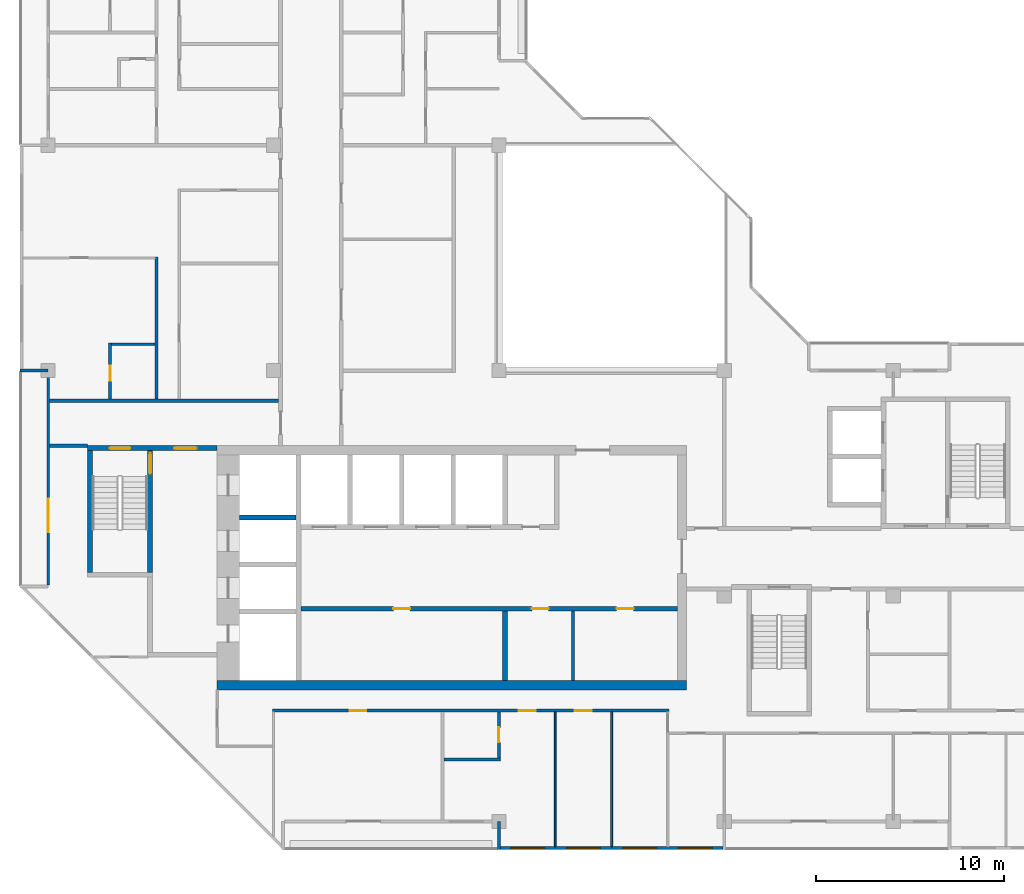
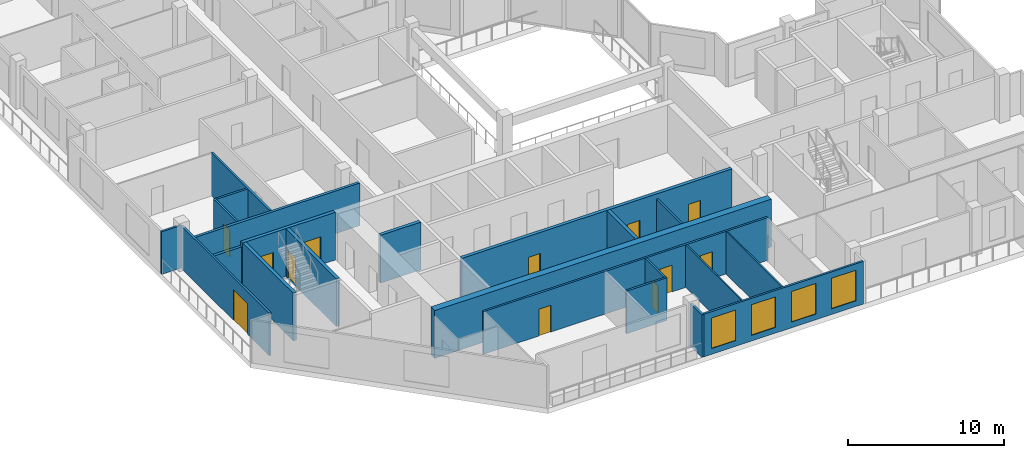
# One storey, part 4 of 12: 22 walls, 12 doors, 4 windows, 16 openings.
"""IFC4 building model written with IfcOpenShell, lengths in metres."""

from ifc_helpers import new_model, si_unit, direction, frame, frame_2d, origin, place, context, subcontext, project, spatial, rectangle, extrude, material, layer, layer_set, type_object, element, fill, save


model = new_model("IFC4")

# Units and contexts
model_context = context("Model", 3, precision=1e-05, world=origin(), true_north=direction((0.0, 1.0)))
body_context = subcontext(model_context, "Body", "Model", "MODEL_VIEW")
ifc_project = project(units=[si_unit("LENGTHUNIT", "METRE"), si_unit("AREAUNIT", "SQUARE_METRE"), si_unit("VOLUMEUNIT", "CUBIC_METRE"), si_unit("PLANEANGLEUNIT", "RADIAN"), si_unit("MASSUNIT", "GRAM", prefix="KILO")], contexts=[model_context])

# Site, building, storey
site_placement = place(None, origin())
site = spatial("IfcSite", under=ifc_project, at=site_placement, CompositionType="ELEMENT")
building_placement = place(site_placement, origin())
building = spatial("IfcBuilding", under=site, at=building_placement, Name="Chenar Terraces", CompositionType="ELEMENT")
storey_placement = place(building_placement, frame((0.0, 0.0, 350.14990234375)))
storey = spatial("IfcBuildingStorey", under=building, at=storey_placement, Name="L81", CompositionType="ELEMENT", Elevation=350.14990234375)

# Wall
ifc_material_1 = material(Name="Gypsum board on steel studs", Category="steel")
ifc_layer_1 = layer(ifc_material_1, 0.14990234375)
ifc_layer_set_1 = layer_set([ifc_layer_1], Name="Gypsum board on steel studs")
wall_type_1 = type_object("IfcWallType", Name="Core partition 150 gypsum board", PredefinedType="PARTITIONING", material=ifc_layer_set_1)
wall_1_placement = place(storey_placement, frame((27.949951171875, 7.5, 0.0), z_axis=(0.0, 0.0, 1.0), x_axis=(0.0, 1.0, 0.0)))
element("IfcWall", 1, at=wall_1_placement, inside=storey, type_object=wall_type_1, Name="Core partition CP1 freed bay wall", PredefinedType="PARTITIONING", context=body_context, shape_type="SweptSolid", body=[
    extrude(rectangle(XDim=3.699951171875, YDim=0.14990234375, at=frame_2d((1.85009765625, 0.0))), origin(), (0.0, 0.0, 1.0), 3.35009765625),
])

# Wall, openings, doors
ifc_material_2 = material(Name="Concrete C50/60", Category="concrete")
ifc_layer_2 = layer(ifc_material_2, 0.25)
ifc_layer_set_2 = layer_set([ifc_layer_2], Name="Concrete C50/60")
wall_type_2 = type_object("IfcWallType", Name="Core wall 250 Concrete C50/60", PredefinedType="SHEAR", material=ifc_layer_set_2)
wall_2_placement = place(storey_placement, frame((13.449951171875, 11.324951171875, 0.0), z_axis=(0.0, 0.0, 1.0), x_axis=(1.0, 0.0, 0.0)))
wall_2 = element("IfcWall", 2, at=wall_2_placement, inside=storey, type_object=wall_type_2, Name="Core wall SF L81", PredefinedType="SHEAR", context=body_context, shape_type="SweptSolid", body=[
    extrude(rectangle(XDim=20.050048828125, YDim=0.25, at=frame_2d((10.02490234375, 0.0))), origin(), (0.0, 0.0, 1.0), 3.75),
])
opening_1_placement = place(wall_2_placement, frame((4.925048828125, 0.0, 0.0)))
opening_1 = element("IfcOpeningElement", 3, at=opening_1_placement, cuts=wall_2, Name="Opening DL81-C12", PredefinedType="OPENING", context=body_context, shape_type="SweptSolid", body=[
    extrude(rectangle(XDim=0.89990234375, YDim=2.10009765625, at=frame_2d((0.449951171875, 1.050048828125))), frame((0.0, 0.135009765625, 0.0), z_axis=(0.0, -1.0, 0.0), x_axis=(1.0, 0.0, 0.0)), (0.0, 0.0, 1.0), 0.27001953125),
])
opening_2_placement = place(wall_2_placement, frame((12.300048828125, 0.0, 0.0)))
opening_2 = element("IfcOpeningElement", 4, at=opening_2_placement, cuts=wall_2, Name="Opening DL81-C13", PredefinedType="OPENING", context=body_context, shape_type="SweptSolid", body=[
    extrude(rectangle(XDim=0.89990234375, YDim=2.10009765625, at=frame_2d((0.449951171875, 1.050048828125))), frame((0.0, 0.135009765625, 0.0), z_axis=(0.0, -1.0, 0.0), x_axis=(1.0, 0.0, 0.0)), (0.0, 0.0, 1.0), 0.27001953125),
])
opening_3_placement = place(wall_2_placement, frame((16.824951171875, 0.0, 0.0)))
opening_3 = element("IfcOpeningElement", 5, at=opening_3_placement, cuts=wall_2, Name="Opening DL81-C14", PredefinedType="OPENING", context=body_context, shape_type="SweptSolid", body=[
    extrude(rectangle(XDim=0.89990234375, YDim=2.10009765625, at=frame_2d((0.449951171875, 1.050048828125))), frame((0.0, 0.135009765625, 0.0), z_axis=(0.0, -1.0, 0.0), x_axis=(1.0, 0.0, 0.0)), (0.0, 0.0, 1.0), 0.27001953125),
])
ifc_material_3 = material(Name="Steel-framed fire-resisting door leaf", Category="steel")
door_type_1 = type_object("IfcDoorType", Name="Riser fire door FD60 900 x 2100", OperationType="SINGLE_SWING_LEFT", PredefinedType="DOOR", material=ifc_material_3)
door_1_placement = place(opening_1_placement, frame((0.89990234375, 0.0, 0.0), z_axis=(0.0, 0.0, 1.0), x_axis=(-1.0, 0.0, 0.0)))
door_1 = element("IfcDoor", 6, at=door_1_placement, inside=storey, type_object=door_type_1, Name="Core room door DL81-C12", OperationType="SINGLE_SWING_RIGHT", OverallHeight=2.10009765625, OverallWidth=0.89990234375, PredefinedType="DOOR", context=body_context, shape_type="SweptSolid", body=[
    extrude(rectangle(XDim=0.89990234375, YDim=2.10009765625, at=frame_2d((0.449951171875, 1.050048828125))), frame((0.0, 0.02490234375, 0.0), z_axis=(0.0, -1.0, 0.0), x_axis=(1.0, 0.0, 0.0)), (0.0, 0.0, 1.0), 0.050048828125),
])
fill(opening_1, door_1)
door_2_placement = place(opening_2_placement, frame((0.89990234375, 0.0, 0.0), z_axis=(0.0, 0.0, 1.0), x_axis=(-1.0, 0.0, 0.0)))
door_2 = element("IfcDoor", 7, at=door_2_placement, inside=storey, type_object=door_type_1, Name="Core room door DL81-C13", OperationType="SINGLE_SWING_LEFT", OverallHeight=2.10009765625, OverallWidth=0.89990234375, PredefinedType="DOOR", context=body_context, shape_type="SweptSolid", body=[
    extrude(rectangle(XDim=0.89990234375, YDim=2.10009765625, at=frame_2d((0.449951171875, 1.050048828125))), frame((0.0, 0.02490234375, 0.0), z_axis=(0.0, -1.0, 0.0), x_axis=(1.0, 0.0, 0.0)), (0.0, 0.0, 1.0), 0.050048828125),
])
fill(opening_2, door_2)
door_3_placement = place(opening_3_placement, frame((0.89990234375, 0.0, 0.0), z_axis=(0.0, 0.0, 1.0), x_axis=(-1.0, 0.0, 0.0)))
door_3 = element("IfcDoor", 8, at=door_3_placement, inside=storey, type_object=door_type_1, Name="Core room door DL81-C14", OperationType="SINGLE_SWING_LEFT", OverallHeight=2.10009765625, OverallWidth=0.89990234375, PredefinedType="DOOR", context=body_context, shape_type="SweptSolid", body=[
    extrude(rectangle(XDim=0.89990234375, YDim=2.10009765625, at=frame_2d((0.449951171875, 1.050048828125))), frame((0.0, 0.02490234375, 0.0), z_axis=(0.0, -1.0, 0.0), x_axis=(1.0, 0.0, 0.0)), (0.0, 0.0, 1.0), 0.050048828125),
])
fill(opening_3, door_3)

# Walls
wall_3_placement = place(storey_placement, frame((10.199951171875, 16.175048828125, 0.0), z_axis=(0.0, 0.0, 1.0), x_axis=(1.0, 0.0, 0.0)))
element("IfcWall", 9, at=wall_3_placement, inside=storey, type_object=wall_type_2, Name="Core wall HW2 L81", PredefinedType="SHEAR", context=body_context, shape_type="SweptSolid", body=[
    extrude(rectangle(XDim=3.0, YDim=0.25, at=frame_2d((1.5, 0.0))), origin(), (0.0, 0.0, 1.0), 3.75),
])
wall_4_placement = place(storey_placement, frame((24.324951171875, 7.5, 0.0), z_axis=(0.0, 0.0, 1.0), x_axis=(0.0, 1.0, 0.0)))
element("IfcWall", 10, at=wall_4_placement, inside=storey, type_object=wall_type_2, Name="Core wall SS3 L81", PredefinedType="SHEAR", context=body_context, shape_type="SweptSolid", body=[
    extrude(rectangle(XDim=3.699951171875, YDim=0.25, at=frame_2d((1.85009765625, 0.0))), origin(), (0.0, 0.0, 1.0), 3.75),
])

# Wall, openings, doors
wall_5_placement = place(storey_placement, frame((2.10009765625, 19.875, 0.0), z_axis=(0.0, 0.0, 1.0), x_axis=(1.0, 0.0, 0.0)))
wall_5 = element("IfcWall", 11, at=wall_5_placement, inside=storey, type_object=wall_type_2, Name="Core wall A_N L81", PredefinedType="SHEAR", context=body_context, shape_type="SweptSolid", body=[
    extrude(rectangle(XDim=6.89990234375, YDim=0.25, at=frame_2d((3.449951171875, 0.0))), origin(), (0.0, 0.0, 1.0), 3.75),
])
opening_4_placement = place(wall_5_placement, frame((1.175048828125, 0.0, 0.0)))
opening_4 = element("IfcOpeningElement", 12, at=opening_4_placement, cuts=wall_5, Name="Opening DL81-C5", PredefinedType="OPENING", context=body_context, shape_type="SweptSolid", body=[
    extrude(rectangle(XDim=1.10009765625, YDim=2.199951171875, at=frame_2d((0.550048828125, 1.10009765625))), frame((0.0, 0.135009765625, 0.0), z_axis=(0.0, -1.0, 0.0), x_axis=(1.0, 0.0, 0.0)), (0.0, 0.0, 1.0), 0.27001953125),
])
opening_5_placement = place(wall_5_placement, frame((4.60009765625, 0.0, 0.0)))
opening_5 = element("IfcOpeningElement", 13, at=opening_5_placement, cuts=wall_5, Name="Opening DL81-C6", PredefinedType="OPENING", context=body_context, shape_type="SweptSolid", body=[
    extrude(rectangle(XDim=1.199951171875, YDim=2.199951171875, at=frame_2d((0.60009765625, 1.10009765625))), frame((0.0, 0.135009765625, 0.0), z_axis=(0.0, -1.0, 0.0), x_axis=(1.0, 0.0, 0.0)), (0.0, 0.0, 1.0), 0.27001953125),
])
ifc_material_4 = material(Name="Steel-framed fire-resisting door leaf", Category="steel")
door_type_2 = type_object("IfcDoorType", Name="Lobby fire door FD60 1200 x 2200", OperationType="SINGLE_SWING_LEFT", PredefinedType="DOOR", material=ifc_material_4)
door_4_placement = place(opening_5_placement, frame((1.199951171875, 0.0, 0.0), z_axis=(0.0, 0.0, 1.0), x_axis=(-1.0, 0.0, 0.0)))
door_4 = element("IfcDoor", 14, at=door_4_placement, inside=storey, type_object=door_type_2, Name="Core door DL81-C6", OperationType="SINGLE_SWING_LEFT", OverallHeight=2.199951171875, OverallWidth=1.199951171875, PredefinedType="DOOR", context=body_context, shape_type="SweptSolid", body=[
    extrude(rectangle(XDim=1.199951171875, YDim=2.199951171875, at=frame_2d((0.60009765625, 1.10009765625))), frame((0.0, 0.02490234375, 0.0), z_axis=(0.0, -1.0, 0.0), x_axis=(1.0, 0.0, 0.0)), (0.0, 0.0, 1.0), 0.050048828125),
])
fill(opening_5, door_4)
ifc_material_5 = material(Name="Steel-framed fire-resisting door leaf", Category="steel")
door_type_3 = type_object("IfcDoorType", Name="Stair fire door FD60 1100 x 2200", OperationType="SINGLE_SWING_LEFT", PredefinedType="DOOR", material=ifc_material_5)
door_5_placement = place(opening_4_placement, origin())
door_5 = element("IfcDoor", 15, at=door_5_placement, inside=storey, type_object=door_type_3, Name="Stair door DL81-C5", OperationType="SINGLE_SWING_LEFT", OverallHeight=2.199951171875, OverallWidth=1.10009765625, PredefinedType="DOOR", context=body_context, shape_type="SweptSolid", body=[
    extrude(rectangle(XDim=1.10009765625, YDim=2.199951171875, at=frame_2d((0.550048828125, 1.10009765625))), frame((0.0, 0.02490234375, 0.0), z_axis=(0.0, -1.0, 0.0), x_axis=(1.0, 0.0, 0.0)), (0.0, 0.0, 1.0), 0.050048828125),
])
fill(opening_4, door_5)

# Wall
wall_6_placement = place(storey_placement, frame((2.22509765625, 13.25, 0.0), z_axis=(0.0, 0.0, 1.0), x_axis=(0.0, 1.0, 0.0)))
element("IfcWall", 16, at=wall_6_placement, inside=storey, type_object=wall_type_2, Name="Core wall ST1_W L81", PredefinedType="SHEAR", context=body_context, shape_type="SweptSolid", body=[
    extrude(rectangle(XDim=6.5, YDim=0.25, at=frame_2d((3.25, 0.0))), origin(), (0.0, 0.0, 1.0), 3.75),
])

# Wall, opening, door
wall_7_placement = place(storey_placement, frame((5.425048828125, 13.25, 0.0), z_axis=(0.0, 0.0, 1.0), x_axis=(0.0, 1.0, 0.0)))
wall_7 = element("IfcWall", 17, at=wall_7_placement, inside=storey, type_object=wall_type_2, Name="Core wall ST1_E L81", PredefinedType="SHEAR", context=body_context, shape_type="SweptSolid", body=[
    extrude(rectangle(XDim=6.5, YDim=0.25, at=frame_2d((3.25, 0.0))), origin(), (0.0, 0.0, 1.0), 3.75),
])
opening_6_placement = place(wall_7_placement, frame((5.25, 0.0, 0.0)))
opening_6 = element("IfcOpeningElement", 18, at=opening_6_placement, cuts=wall_7, Name="Opening DL81-C3", PredefinedType="OPENING", context=body_context, shape_type="SweptSolid", body=[
    extrude(rectangle(XDim=1.10009765625, YDim=2.199951171875, at=frame_2d((0.550048828125, 1.10009765625))), frame((0.0, 0.135009765625, 0.0), z_axis=(0.0, -1.0, 0.0), x_axis=(1.0, 0.0, 0.0)), (0.0, 0.0, 1.0), 0.27001953125),
])
door_6_placement = place(opening_6_placement, origin())
door_6 = element("IfcDoor", 19, at=door_6_placement, inside=storey, type_object=door_type_3, Name="Stair door DL81-C3", OperationType="SINGLE_SWING_RIGHT", OverallHeight=2.199951171875, OverallWidth=1.10009765625, PredefinedType="DOOR", context=body_context, shape_type="SweptSolid", body=[
    extrude(rectangle(XDim=1.10009765625, YDim=2.199951171875, at=frame_2d((0.550048828125, 1.10009765625))), frame((0.0, 0.02490234375, 0.0), z_axis=(0.0, -1.0, 0.0), x_axis=(1.0, 0.0, 0.0)), (0.0, 0.0, 1.0), 0.050048828125),
])
fill(opening_6, door_6)

# Walls
ifc_material_6 = material(Name="Concrete C50/60", Category="concrete")
ifc_layer_3 = layer(ifc_material_6, 0.5)
ifc_layer_set_3 = layer_set([ifc_layer_3], Name="Concrete C50/60")
wall_type_3 = type_object("IfcWallType", Name="Core wall 500 Concrete C50/60", PredefinedType="SHEAR", material=ifc_layer_set_3)
wall_8_placement = place(storey_placement, frame((9.0, 7.25, 0.0), z_axis=(0.0, 0.0, 1.0), x_axis=(1.0, 0.0, 0.0)))
element("IfcWall", 20, at=wall_8_placement, inside=storey, type_object=wall_type_3, Name="Core wall S L81", PredefinedType="SHEAR", context=body_context, shape_type="SweptSolid", body=[
    extrude(rectangle(XDim=25.0, YDim=0.5, at=frame_2d((12.5, 0.0))), origin(), (0.0, 0.0, 1.0), 3.75),
])
ifc_material_7 = material(Name="Gypsum board on steel studs with fire boards", Category="steel")
ifc_layer_4 = layer(ifc_material_7, 0.199951171875)
ifc_layer_set_4 = layer_set([ifc_layer_4], Name="Gypsum board on steel studs with fire boards")
wall_type_4 = type_object("IfcWallType", Name="Corridor wall 200", PredefinedType="PARTITIONING", material=ifc_layer_set_4)
wall_9_placement = place(storey_placement, frame((0.073974609375, 20.0, 0.0), z_axis=(0.0, 0.0, 1.0), x_axis=(1.0, 0.0, 0.0)))
element("IfcWall", 21, at=wall_9_placement, inside=storey, type_object=wall_type_4, Name="Partition L81-004", PredefinedType="PARTITIONING", context=body_context, shape_type="SweptSolid", body=[
    extrude(rectangle(XDim=2.026123046875, YDim=0.199951171875, at=frame_2d((1.01318359375, 0.0))), origin(), (0.0, 0.0, 1.0), 3.35009765625),
])
wall_10_placement = place(storey_placement, frame((0.073974609375, 22.39990234375, 0.0), z_axis=(0.0, 0.0, 1.0), x_axis=(1.0, 0.0, 0.0)))
element("IfcWall", 22, at=wall_10_placement, inside=storey, type_object=wall_type_4, Name="Partition L81-005", PredefinedType="PARTITIONING", context=body_context, shape_type="SweptSolid", body=[
    extrude(rectangle(XDim=12.200927734375, YDim=0.199951171875, at=frame_2d((6.1005859375, 0.0))), origin(), (0.0, 0.0, 1.0), 3.35009765625),
])

# Wall, openings, windows
ifc_material_8 = material(Name="Aluminium framed glazing", Category="aluminium")
ifc_layer_5 = layer(ifc_material_8, 0.14990234375)
ifc_layer_set_5 = layer_set([ifc_layer_5], Name="Aluminium framed glazing")
wall_type_5 = type_object("IfcWallType", Name="Glazed flush facade wall 150", PredefinedType="SOLIDWALL", material=ifc_layer_set_5)
wall_11_placement = place(storey_placement, frame((24.074951171875, -1.425048828125, 0.0), z_axis=(0.0, 0.0, 1.0), x_axis=(1.0, 0.0, 0.0)))
wall_11 = element("IfcWall", 23, at=wall_11_placement, inside=storey, type_object=wall_type_5, Name="Glazed flush facade wall", PredefinedType="SOLIDWALL", context=body_context, shape_type="SweptSolid", body=[
    extrude(rectangle(XDim=11.85009765625, YDim=0.14990234375, at=frame_2d((5.925048828125, 0.0))), origin(), (0.0, 0.0, 1.0), 3.35009765625),
])
opening_7_placement = place(wall_11_placement, frame((0.5625, 0.0, 0.449951171875)))
opening_7 = element("IfcOpeningElement", 24, at=opening_7_placement, cuts=wall_11, Name="Opening W180x240", PredefinedType="OPENING", context=body_context, shape_type="SweptSolid", body=[
    extrude(rectangle(XDim=1.800048828125, YDim=2.39990234375, at=frame_2d((0.89990234375, 1.199951171875))), frame((0.0, 0.0849609375, 0.0), z_axis=(0.0, -1.0, 0.0), x_axis=(1.0, 0.0, 0.0)), (0.0, 0.0, 1.0), 0.169921875),
])
opening_8_placement = place(wall_11_placement, frame((3.52490234375, 0.0, 0.449951171875)))
opening_8 = element("IfcOpeningElement", 25, at=opening_8_placement, cuts=wall_11, Name="Opening W180x240", PredefinedType="OPENING", context=body_context, shape_type="SweptSolid", body=[
    extrude(rectangle(XDim=1.800048828125, YDim=2.39990234375, at=frame_2d((0.89990234375, 1.199951171875))), frame((0.0, 0.0849609375, 0.0), z_axis=(0.0, -1.0, 0.0), x_axis=(1.0, 0.0, 0.0)), (0.0, 0.0, 1.0), 0.169921875),
])
opening_9_placement = place(wall_11_placement, frame((6.52490234375, 0.0, 0.449951171875)))
opening_9 = element("IfcOpeningElement", 26, at=opening_9_placement, cuts=wall_11, Name="Opening W180x240", PredefinedType="OPENING", context=body_context, shape_type="SweptSolid", body=[
    extrude(rectangle(XDim=1.800048828125, YDim=2.39990234375, at=frame_2d((0.89990234375, 1.199951171875))), frame((0.0, 0.0849609375, 0.0), z_axis=(0.0, -1.0, 0.0), x_axis=(1.0, 0.0, 0.0)), (0.0, 0.0, 1.0), 0.169921875),
])
opening_10_placement = place(wall_11_placement, frame((9.487548828125, 0.0, 0.449951171875)))
opening_10 = element("IfcOpeningElement", 27, at=opening_10_placement, cuts=wall_11, Name="Opening W180x240", PredefinedType="OPENING", context=body_context, shape_type="SweptSolid", body=[
    extrude(rectangle(XDim=1.800048828125, YDim=2.39990234375, at=frame_2d((0.89990234375, 1.199951171875))), frame((0.0, 0.0849609375, 0.0), z_axis=(0.0, -1.0, 0.0), x_axis=(1.0, 0.0, 0.0)), (0.0, 0.0, 1.0), 0.169921875),
])
ifc_material_9 = material(Name="Low emissivity double glazing, aluminium frame", Category="aluminium")
window_type = type_object("IfcWindowType", Name="Fixed light 1800 x 2400", PartitioningType="SINGLE_PANEL", PredefinedType="WINDOW", material=ifc_material_9)
window_1_placement = place(opening_7_placement, origin())
window_1 = element("IfcWindow", 28, at=window_1_placement, inside=storey, type_object=window_type, Name="Window", OverallHeight=2.39990234375, OverallWidth=1.800048828125, PartitioningType="SINGLE_PANEL", PredefinedType="WINDOW", context=body_context, shape_type="SweptSolid", body=[
    extrude(rectangle(XDim=1.800048828125, YDim=2.39990234375, at=frame_2d((0.89990234375, 1.199951171875))), frame((0.0, 0.030029296875, 0.0), z_axis=(0.0, -1.0, 0.0), x_axis=(1.0, 0.0, 0.0)), (0.0, 0.0, 1.0), 0.06005859375),
])
fill(opening_7, window_1)
window_2_placement = place(opening_8_placement, origin())
window_2 = element("IfcWindow", 29, at=window_2_placement, inside=storey, type_object=window_type, Name="Window", OverallHeight=2.39990234375, OverallWidth=1.800048828125, PartitioningType="SINGLE_PANEL", PredefinedType="WINDOW", context=body_context, shape_type="SweptSolid", body=[
    extrude(rectangle(XDim=1.800048828125, YDim=2.39990234375, at=frame_2d((0.89990234375, 1.199951171875))), frame((0.0, 0.030029296875, 0.0), z_axis=(0.0, -1.0, 0.0), x_axis=(1.0, 0.0, 0.0)), (0.0, 0.0, 1.0), 0.06005859375),
])
fill(opening_8, window_2)
window_3_placement = place(opening_9_placement, origin())
window_3 = element("IfcWindow", 30, at=window_3_placement, inside=storey, type_object=window_type, Name="Window", OverallHeight=2.39990234375, OverallWidth=1.800048828125, PartitioningType="SINGLE_PANEL", PredefinedType="WINDOW", context=body_context, shape_type="SweptSolid", body=[
    extrude(rectangle(XDim=1.800048828125, YDim=2.39990234375, at=frame_2d((0.89990234375, 1.199951171875))), frame((0.0, 0.030029296875, 0.0), z_axis=(0.0, -1.0, 0.0), x_axis=(1.0, 0.0, 0.0)), (0.0, 0.0, 1.0), 0.06005859375),
])
fill(opening_9, window_3)
window_4_placement = place(opening_10_placement, origin())
window_4 = element("IfcWindow", 31, at=window_4_placement, inside=storey, type_object=window_type, Name="Window", OverallHeight=2.39990234375, OverallWidth=1.800048828125, PartitioningType="SINGLE_PANEL", PredefinedType="WINDOW", context=body_context, shape_type="SweptSolid", body=[
    extrude(rectangle(XDim=1.800048828125, YDim=2.39990234375, at=frame_2d((0.89990234375, 1.199951171875))), frame((0.0, 0.030029296875, 0.0), z_axis=(0.0, -1.0, 0.0), x_axis=(1.0, 0.0, 0.0)), (0.0, 0.0, 1.0), 0.06005859375),
])
fill(opening_10, window_4)

# Wall, opening, door
ifc_material_10 = material(Name="Aluminium framed glazing", Category="aluminium")
ifc_layer_6 = layer(ifc_material_10, 0.14990234375)
ifc_layer_set_6 = layer_set([ifc_layer_6], Name="Aluminium framed glazing")
wall_type_6 = type_object("IfcWallType", Name="Glazed loggia back wall 150", PredefinedType="SOLIDWALL", material=ifc_layer_set_6)
wall_12_placement = place(storey_placement, frame((0.0, 23.925048828125, 0.0), z_axis=(0.0, 0.0, 1.0), x_axis=(0.0, -1.0, 0.0)))
wall_12 = element("IfcWall", 32, at=wall_12_placement, inside=storey, type_object=wall_type_6, Name="Glazed loggia back wall", PredefinedType="SOLIDWALL", context=body_context, shape_type="SweptSolid", body=[
    extrude(rectangle(XDim=11.35009765625, YDim=0.14990234375, at=frame_2d((5.675048828125, 0.0))), origin(), (0.0, 0.0, 1.0), 3.35009765625),
])
opening_11_placement = place(wall_12_placement, frame((6.737548828125, 0.0, 0.0)))
opening_11 = element("IfcOpeningElement", 33, at=opening_11_placement, cuts=wall_12, Name="Opening DL81-G2", PredefinedType="OPENING", context=body_context, shape_type="SweptSolid", body=[
    extrude(rectangle(XDim=1.800048828125, YDim=2.39990234375, at=frame_2d((0.89990234375, 1.199951171875))), frame((0.0, 0.0849609375, 0.0), z_axis=(0.0, -1.0, 0.0), x_axis=(1.0, 0.0, 0.0)), (0.0, 0.0, 1.0), 0.169921875),
])
ifc_material_11 = material(Name="Low emissivity double glazing, aluminium frame", Category="aluminium")
door_type_4 = type_object("IfcDoorType", Name="Loggia glazed double door 1800 x 2400", OperationType="DOUBLE_DOOR_SINGLE_SWING", PredefinedType="DOOR", material=ifc_material_11)
door_7_placement = place(opening_11_placement, frame((1.800048828125, 0.0, 0.0), z_axis=(0.0, 0.0, 1.0), x_axis=(-1.0, 0.0, 0.0)))
door_7 = element("IfcDoor", 34, at=door_7_placement, inside=storey, type_object=door_type_4, Name="Loggia glazed door", OperationType="DOUBLE_DOOR_SINGLE_SWING", OverallHeight=2.39990234375, OverallWidth=1.800048828125, PredefinedType="DOOR", context=body_context, shape_type="SweptSolid", body=[
    extrude(rectangle(XDim=1.800048828125, YDim=2.39990234375, at=frame_2d((0.89990234375, 1.199951171875))), frame((0.0, 0.02490234375, 0.0), z_axis=(0.0, -1.0, 0.0), x_axis=(1.0, 0.0, 0.0)), (0.0, 0.0, 1.0), 0.050048828125),
])
fill(opening_11, door_7)

# Walls
ifc_material_12 = material(Name="Gypsum board on steel studs", Category="steel")
ifc_layer_7 = layer(ifc_material_12, 0.10009765625)
ifc_layer_set_7 = layer_set([ifc_layer_7], Name="Gypsum board on steel studs")
wall_type_7 = type_object("IfcWallType", Name="Gypsum partition 100", PredefinedType="PARTITIONING", material=ifc_layer_set_7)
for number, where, z_axis, x_axis, name in (
    (35, (27.0, -1.35107421875, 0.0), (0.0, 0.0, 1.0), (0.0, 1.0, 0.0), "Partition L81-047"),
    (36, (30.0, -1.35107421875, 0.0), (0.0, 0.0, 1.0), (0.0, 1.0, 0.0), "Partition L81-048"),
):
    element("IfcWall", number, at=place(storey_placement, frame(where, z_axis=z_axis, x_axis=x_axis)), inside=storey, type_object=wall_type_7, Name=name, PredefinedType="PARTITIONING", context=body_context, shape_type="SweptSolid", body=[
        extrude(rectangle(XDim=7.176025390625, YDim=0.10009765625, at=frame_2d((3.587890625, 0.0))), origin(), (0.0, 0.0, 1.0), 3.35009765625),
    ])
ifc_material_13 = material(Name="Terracotta cladding on insulated backing", Category="masonry")
ifc_layer_8 = layer(ifc_material_13, 0.14990234375)
ifc_layer_set_8 = layer_set([ifc_layer_8], Name="Terracotta cladding on insulated backing")
wall_type_8 = type_object("IfcWallType", Name="Loggia return wall 150", PredefinedType="SOLIDWALL", material=ifc_layer_set_8)
for number, where, z_axis, x_axis, name in (
    (37, (-1.5, 24.0, 0.0), (0.0, 0.0, 1.0), (1.0, 0.0, 0.0), "Loggia return wall"),
    (38, (24.0, -1.5, 0.0), (0.0, 0.0, 1.0), (0.0, 1.0, 0.0), "Loggia return wall"),
):
    element("IfcWall", number, at=place(storey_placement, frame(where, z_axis=z_axis, x_axis=x_axis)), inside=storey, type_object=wall_type_8, Name=name, PredefinedType="SOLIDWALL", context=body_context, shape_type="SweptSolid", body=[
        extrude(rectangle(XDim=1.5, YDim=0.14990234375, at=frame_2d((0.75, 0.0))), origin(), (0.0, 0.0, 1.0), 3.35009765625),
    ])

# Wall, opening, door
ifc_material_14 = material(Name="Moisture-resistant gypsum board on steel studs", Category="steel")
ifc_layer_9 = layer(ifc_material_14, 0.14990234375)
ifc_layer_set_9 = layer_set([ifc_layer_9], Name="Moisture-resistant gypsum board on steel studs")
wall_type_9 = type_object("IfcWallType", Name="Wet-room partition 150", PredefinedType="PARTITIONING", material=ifc_layer_set_9)
wall_13_placement = place(storey_placement, frame((3.300048828125, 22.5, 0.0), z_axis=(0.0, 0.0, 1.0), x_axis=(0.0, 1.0, 0.0)))
wall_13 = element("IfcWall", 39, at=wall_13_placement, inside=storey, type_object=wall_type_9, Name="Partition L81-009", PredefinedType="PARTITIONING", context=body_context, shape_type="SweptSolid", body=[
    extrude(rectangle(XDim=2.97509765625, YDim=0.14990234375, at=frame_2d((1.487548828125, 0.0))), origin(), (0.0, 0.0, 1.0), 3.35009765625),
])
opening_12_placement = place(wall_13_placement, frame((0.949951171875, 0.0, 0.0)))
opening_12 = element("IfcOpeningElement", 40, at=opening_12_placement, cuts=wall_13, Name="Opening DL81-43", PredefinedType="OPENING", context=body_context, shape_type="SweptSolid", body=[
    extrude(rectangle(XDim=0.800048828125, YDim=2.10009765625, at=frame_2d((0.39990234375, 1.050048828125))), frame((0.0, 0.0849609375, 0.0), z_axis=(0.0, -1.0, 0.0), x_axis=(1.0, 0.0, 0.0)), (0.0, 0.0, 1.0), 0.169921875),
])
ifc_material_15 = material(Name="Veneered timber door leaf", Category="wood")
door_type_5 = type_object("IfcDoorType", Name="Door 800 x 2100", OperationType="SINGLE_SWING_LEFT", PredefinedType="DOOR", material=ifc_material_15)
door_8_placement = place(opening_12_placement, frame((0.800048828125, 0.0, 0.0), z_axis=(0.0, 0.0, 1.0), x_axis=(-1.0, 0.0, 0.0)))
door_8 = element("IfcDoor", 41, at=door_8_placement, inside=storey, type_object=door_type_5, Name="Door DL81-43", OperationType="SINGLE_SWING_RIGHT", OverallHeight=2.10009765625, OverallWidth=0.800048828125, PredefinedType="DOOR", context=body_context, shape_type="SweptSolid", body=[
    extrude(rectangle(XDim=0.800048828125, YDim=2.10009765625, at=frame_2d((0.39990234375, 1.050048828125))), frame((0.0, 0.02490234375, 0.0), z_axis=(0.0, -1.0, 0.0), x_axis=(1.0, 0.0, 0.0)), (0.0, 0.0, 1.0), 0.050048828125),
])
fill(opening_12, door_8)

# Walls
wall_14_placement = place(storey_placement, frame((3.375, 25.39990234375, 0.0), z_axis=(0.0, 0.0, 1.0), x_axis=(1.0, 0.0, 0.0)))
element("IfcWall", 42, at=wall_14_placement, inside=storey, type_object=wall_type_9, Name="Partition L81-011", PredefinedType="PARTITIONING", context=body_context, shape_type="SweptSolid", body=[
    extrude(rectangle(XDim=2.324951171875, YDim=0.14990234375, at=frame_2d((1.16259765625, 0.0))), origin(), (0.0, 0.0, 1.0), 3.35009765625),
])
wall_15_placement = place(storey_placement, frame((5.77490234375, 22.5, 0.0), z_axis=(0.0, 0.0, 1.0), x_axis=(0.0, 1.0, 0.0)))
element("IfcWall", 43, at=wall_15_placement, inside=storey, type_object=wall_type_9, Name="Partition L81-015", PredefinedType="PARTITIONING", context=body_context, shape_type="SweptSolid", body=[
    extrude(rectangle(XDim=7.550048828125, YDim=0.14990234375, at=frame_2d((3.77490234375, 0.0))), origin(), (0.0, 0.0, 1.0), 3.35009765625),
])

# Wall, openings, doors
wall_16_placement = place(storey_placement, frame((11.949951171875, 5.89990234375, 0.0), z_axis=(0.0, 0.0, 1.0), x_axis=(1.0, 0.0, 0.0)))
wall_16 = element("IfcWall", 44, at=wall_16_placement, inside=storey, type_object=wall_type_9, Name="Partition L81-028", PredefinedType="PARTITIONING", context=body_context, shape_type="SweptSolid", body=[
    extrude(rectangle(XDim=21.10009765625, YDim=0.14990234375, at=frame_2d((10.550048828125, 0.0))), origin(), (0.0, 0.0, 1.0), 3.35009765625),
])
opening_13_placement = place(wall_16_placement, frame((16.10009765625, 0.0, 0.0)))
opening_13 = element("IfcOpeningElement", 45, at=opening_13_placement, cuts=wall_16, Name="Opening DL81-26", PredefinedType="OPENING", context=body_context, shape_type="SweptSolid", body=[
    extrude(rectangle(XDim=0.89990234375, YDim=2.10009765625, at=frame_2d((0.449951171875, 1.050048828125))), frame((0.0, 0.0849609375, 0.0), z_axis=(0.0, -1.0, 0.0), x_axis=(1.0, 0.0, 0.0)), (0.0, 0.0, 1.0), 0.169921875),
])
opening_14_placement = place(wall_16_placement, frame((13.10009765625, 0.0, 0.0)))
opening_14 = element("IfcOpeningElement", 46, at=opening_14_placement, cuts=wall_16, Name="Opening DL81-34", PredefinedType="OPENING", context=body_context, shape_type="SweptSolid", body=[
    extrude(rectangle(XDim=0.89990234375, YDim=2.10009765625, at=frame_2d((0.449951171875, 1.050048828125))), frame((0.0, 0.0849609375, 0.0), z_axis=(0.0, -1.0, 0.0), x_axis=(1.0, 0.0, 0.0)), (0.0, 0.0, 1.0), 0.169921875),
])
opening_15_placement = place(wall_16_placement, frame((4.10009765625, 0.0, 0.0)))
opening_15 = element("IfcOpeningElement", 47, at=opening_15_placement, cuts=wall_16, Name="Opening DL81-39", PredefinedType="OPENING", context=body_context, shape_type="SweptSolid", body=[
    extrude(rectangle(XDim=0.89990234375, YDim=2.10009765625, at=frame_2d((0.449951171875, 1.050048828125))), frame((0.0, 0.0849609375, 0.0), z_axis=(0.0, -1.0, 0.0), x_axis=(1.0, 0.0, 0.0)), (0.0, 0.0, 1.0), 0.169921875),
])
ifc_material_16 = material(Name="Veneered timber door leaf", Category="wood")
door_type_6 = type_object("IfcDoorType", Name="Door 900 x 2100", OperationType="SINGLE_SWING_LEFT", PredefinedType="DOOR", material=ifc_material_16)
door_9_placement = place(opening_13_placement, frame((0.89990234375, 0.0, 0.0), z_axis=(0.0, 0.0, 1.0), x_axis=(-1.0, 0.0, 0.0)))
door_9 = element("IfcDoor", 48, at=door_9_placement, inside=storey, type_object=door_type_6, Name="Door DL81-26", OperationType="SINGLE_SWING_RIGHT", OverallHeight=2.10009765625, OverallWidth=0.89990234375, PredefinedType="DOOR", context=body_context, shape_type="SweptSolid", body=[
    extrude(rectangle(XDim=0.89990234375, YDim=2.10009765625, at=frame_2d((0.449951171875, 1.050048828125))), frame((0.0, 0.02490234375, 0.0), z_axis=(0.0, -1.0, 0.0), x_axis=(1.0, 0.0, 0.0)), (0.0, 0.0, 1.0), 0.050048828125),
])
fill(opening_13, door_9)
door_10_placement = place(opening_14_placement, frame((0.89990234375, 0.0, 0.0), z_axis=(0.0, 0.0, 1.0), x_axis=(-1.0, 0.0, 0.0)))
door_10 = element("IfcDoor", 49, at=door_10_placement, inside=storey, type_object=door_type_6, Name="Door DL81-34", OperationType="SINGLE_SWING_RIGHT", OverallHeight=2.10009765625, OverallWidth=0.89990234375, PredefinedType="DOOR", context=body_context, shape_type="SweptSolid", body=[
    extrude(rectangle(XDim=0.89990234375, YDim=2.10009765625, at=frame_2d((0.449951171875, 1.050048828125))), frame((0.0, 0.02490234375, 0.0), z_axis=(0.0, -1.0, 0.0), x_axis=(1.0, 0.0, 0.0)), (0.0, 0.0, 1.0), 0.050048828125),
])
fill(opening_14, door_10)
door_11_placement = place(opening_15_placement, frame((0.89990234375, 0.0, 0.0), z_axis=(0.0, 0.0, 1.0), x_axis=(-1.0, 0.0, 0.0)))
door_11 = element("IfcDoor", 50, at=door_11_placement, inside=storey, type_object=door_type_6, Name="Door DL81-39", OperationType="SINGLE_SWING_RIGHT", OverallHeight=2.10009765625, OverallWidth=0.89990234375, PredefinedType="DOOR", context=body_context, shape_type="SweptSolid", body=[
    extrude(rectangle(XDim=0.89990234375, YDim=2.10009765625, at=frame_2d((0.449951171875, 1.050048828125))), frame((0.0, 0.02490234375, 0.0), z_axis=(0.0, -1.0, 0.0), x_axis=(1.0, 0.0, 0.0)), (0.0, 0.0, 1.0), 0.050048828125),
])
fill(opening_15, door_11)

# Wall
wall_17_placement = place(storey_placement, frame((21.074951171875, 3.300048828125, 0.0), z_axis=(0.0, 0.0, 1.0), x_axis=(1.0, 0.0, 0.0)))
element("IfcWall", 51, at=wall_17_placement, inside=storey, type_object=wall_type_9, Name="Partition L81-044", PredefinedType="PARTITIONING", context=body_context, shape_type="SweptSolid", body=[
    extrude(rectangle(XDim=3.0, YDim=0.14990234375, at=frame_2d((1.5, 0.0))), origin(), (0.0, 0.0, 1.0), 3.35009765625),
])

# Wall, opening, door
wall_18_placement = place(storey_placement, frame((24.0, 3.375, 0.0), z_axis=(0.0, 0.0, 1.0), x_axis=(0.0, 1.0, 0.0)))
wall_18 = element("IfcWall", 52, at=wall_18_placement, inside=storey, type_object=wall_type_9, Name="Partition L81-046", PredefinedType="PARTITIONING", context=body_context, shape_type="SweptSolid", body=[
    extrude(rectangle(XDim=2.449951171875, YDim=0.14990234375, at=frame_2d((1.22509765625, 0.0))), origin(), (0.0, 0.0, 1.0), 3.35009765625),
])
opening_16_placement = place(wall_18_placement, frame((0.824951171875, 0.0, 0.0)))
opening_16 = element("IfcOpeningElement", 53, at=opening_16_placement, cuts=wall_18, Name="Opening DL81-36", PredefinedType="OPENING", context=body_context, shape_type="SweptSolid", body=[
    extrude(rectangle(XDim=0.800048828125, YDim=2.10009765625, at=frame_2d((0.39990234375, 1.050048828125))), frame((0.0, 0.0849609375, 0.0), z_axis=(0.0, -1.0, 0.0), x_axis=(1.0, 0.0, 0.0)), (0.0, 0.0, 1.0), 0.169921875),
])
door_12_placement = place(opening_16_placement, origin())
door_12 = element("IfcDoor", 54, at=door_12_placement, inside=storey, type_object=door_type_5, Name="Door DL81-36", OperationType="SINGLE_SWING_RIGHT", OverallHeight=2.10009765625, OverallWidth=0.800048828125, PredefinedType="DOOR", context=body_context, shape_type="SweptSolid", body=[
    extrude(rectangle(XDim=0.800048828125, YDim=2.10009765625, at=frame_2d((0.39990234375, 1.050048828125))), frame((0.0, 0.02490234375, 0.0), z_axis=(0.0, -1.0, 0.0), x_axis=(1.0, 0.0, 0.0)), (0.0, 0.0, 1.0), 0.050048828125),
])
fill(opening_16, door_12)

save(model, "model.ifc")
